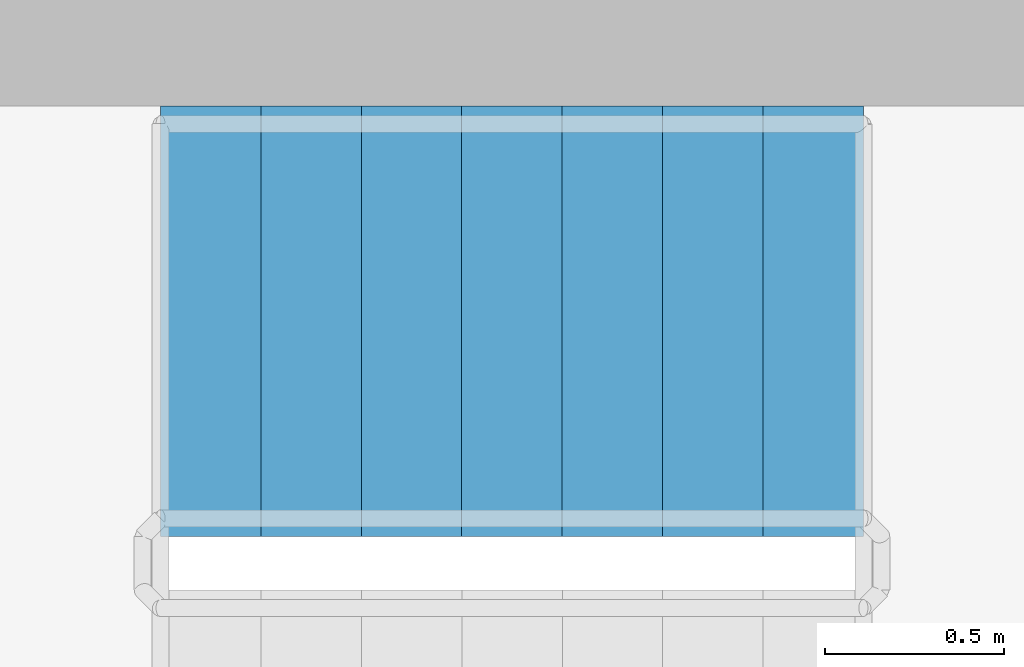
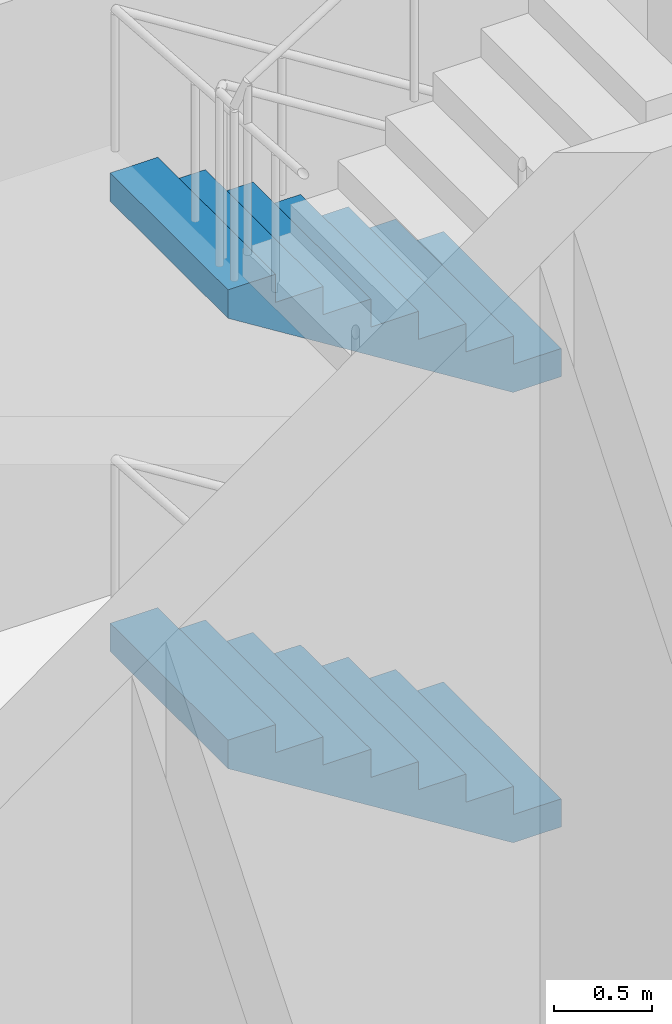
# One storey, part 7 of 9: 2 stair flights, 1 element without a shape of its own.
"""IFC4 building model written with IfcOpenShell, lengths in metres."""

from ifc_helpers import new_model, si_unit, direction, frame, origin, place, context, subcontext, project, spatial, polyline, outline, extrude, material, layer, layer_set, type_object, element, aggregate, save


model = new_model("IFC4")

# Units and contexts
model_context = context("Model", 3, precision=1e-05, world=origin(), true_north=direction((0.0, 1.0)))
body_context = subcontext(model_context, "Body", "Model", "MODEL_VIEW")
ifc_project = project(units=[si_unit("LENGTHUNIT", "METRE"), si_unit("AREAUNIT", "SQUARE_METRE"), si_unit("VOLUMEUNIT", "CUBIC_METRE"), si_unit("PLANEANGLEUNIT", "RADIAN"), si_unit("MASSUNIT", "GRAM", prefix="KILO")], contexts=[model_context])

# Site, building, storey
site_placement = place(None, origin())
site = spatial("IfcSite", under=ifc_project, at=site_placement, CompositionType="ELEMENT")
building_placement = place(site_placement, origin())
building = spatial("IfcBuilding", under=site, at=building_placement, Name="Frailejon Research Tower", CompositionType="ELEMENT")
storey_placement = place(building_placement, frame((0.0, 0.0, 303.0)))
storey = spatial("IfcBuildingStorey", under=building, at=storey_placement, Name="L67", CompositionType="ELEMENT", Elevation=303.0)

# Stair, stair flights
ifc_material_1 = material(Name="Concrete C50/60", Category="concrete")
stair_type = type_object("IfcStairType", Name="Exit stair 32 risers", PredefinedType="HALF_TURN_STAIR", material=ifc_material_1)
stair_placement = place(storey_placement, origin())
stair = element("IfcStair", 1, at=stair_placement, inside=storey, type_object=stair_type, Name="L67 Exit stair ST3", PredefinedType="HALF_TURN_STAIR")
ifc_material_2 = material(Name="Concrete C50/60", Category="concrete")
ifc_layer = layer(ifc_material_2, 0.14990234375)
ifc_layer_set = layer_set([ifc_layer], Name="Stair flight 8 risers")
stair_flight_type = type_object("IfcStairFlightType", Name="Stair flight 8 risers", PredefinedType="STRAIGHT", material=ifc_layer_set)
stair_flight_1_placement = place(storey_placement, frame((8.14990234375, 6.85009765625, 0.0), z_axis=(0.0, 0.0, 1.0), x_axis=(-1.0, 0.0, 0.0)))
stair_flight_1 = element("IfcStairFlight", 2, at=stair_flight_1_placement, type_object=stair_flight_type, Name="ST3 flight 1", NumberOfRisers=8, NumberOfTreads=7, PredefinedType="STRAIGHT", RiserHeight=0.175, TreadLength=0.28, context=body_context, shape_type="SweptSolid", body=[
    extrude(outline(polyline([(0.0, 0.0), (0.0, 0.175048828125), (0.280029296875, 0.175048828125), (0.280029296875, 0.35009765625), (0.56005859375, 0.35009765625), (0.56005859375, 0.52490234375), (0.840087890625, 0.52490234375), (0.840087890625, 0.699951171875), (1.1201171875, 0.699951171875), (1.1201171875, 0.875), (1.39990234375, 0.875), (1.39990234375, 1.050048828125), (1.679931640625, 1.050048828125), (1.679931640625, 1.22509765625), (1.9599609375, 1.22509765625), (1.9599609375, 1.39990234375), (1.9599609375, 1.04833984375), (0.28271484375, 0.0), (0.0, 0.0)])), frame((0.0, 0.60009765625, 0.0), z_axis=(0.0, -1.0, 0.0), x_axis=(1.0, 0.0, 0.0)), (0.0, 0.0, 1.0), 1.199951171875),
])
stair_flight_2_placement = place(storey_placement, frame((8.14990234375, 6.85009765625, 2.800048828125), z_axis=(0.0, 0.0, 1.0), x_axis=(-1.0, 0.0, 0.0)))
stair_flight_2 = element("IfcStairFlight", 3, at=stair_flight_2_placement, type_object=stair_flight_type, Name="ST3 flight 3", NumberOfRisers=8, NumberOfTreads=7, PredefinedType="STRAIGHT", RiserHeight=0.175, TreadLength=0.28, context=body_context, shape_type="SweptSolid", body=[
    extrude(outline(polyline([(0.0, 0.0), (0.0, 0.175048828125), (0.280029296875, 0.175048828125), (0.280029296875, 0.35009765625), (0.56005859375, 0.35009765625), (0.56005859375, 0.52490234375), (0.840087890625, 0.52490234375), (0.840087890625, 0.699951171875), (1.1201171875, 0.699951171875), (1.1201171875, 0.875), (1.39990234375, 0.875), (1.39990234375, 1.050048828125), (1.679931640625, 1.050048828125), (1.679931640625, 1.22509765625), (1.9599609375, 1.22509765625), (1.9599609375, 1.39990234375), (1.9599609375, 1.04833984375), (0.28271484375, 0.0), (0.0, 0.0)])), frame((0.0, 0.60009765625, 0.0), z_axis=(0.0, -1.0, 0.0), x_axis=(1.0, 0.0, 0.0)), (0.0, 0.0, 1.0), 1.199951171875),
])
aggregate(stair, [stair_flight_1, stair_flight_2])

save(model, "model.ifc")
